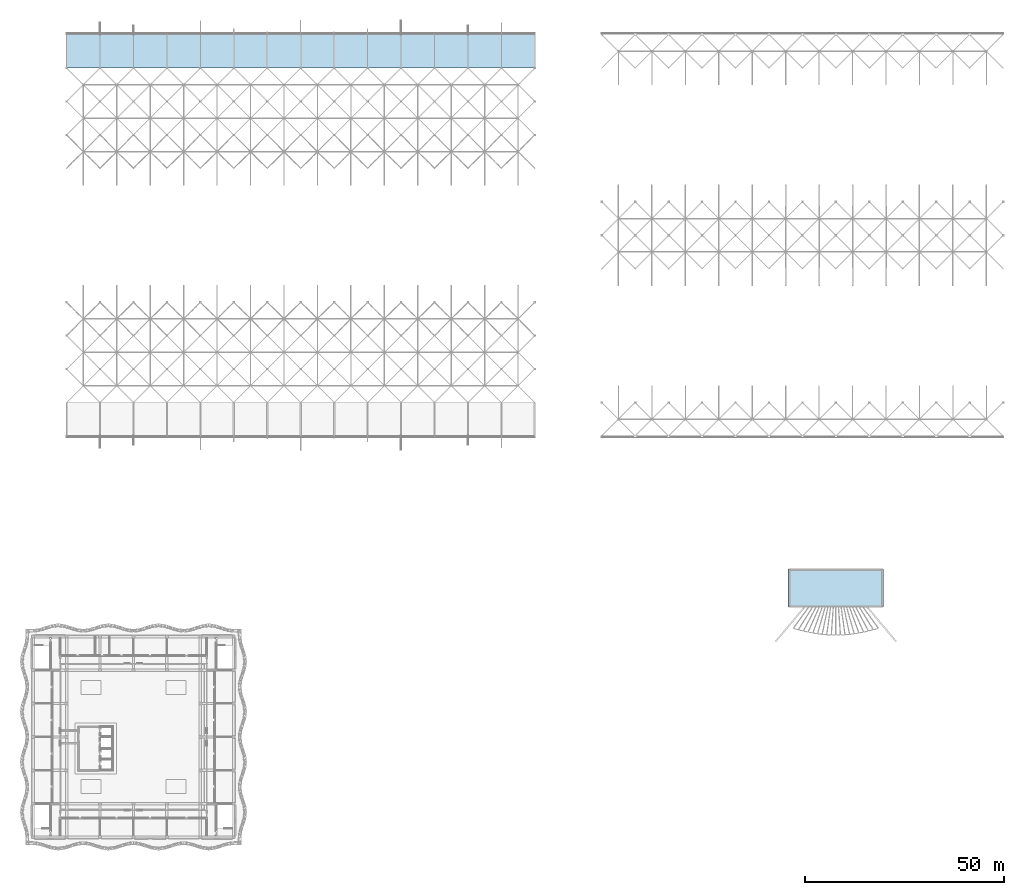
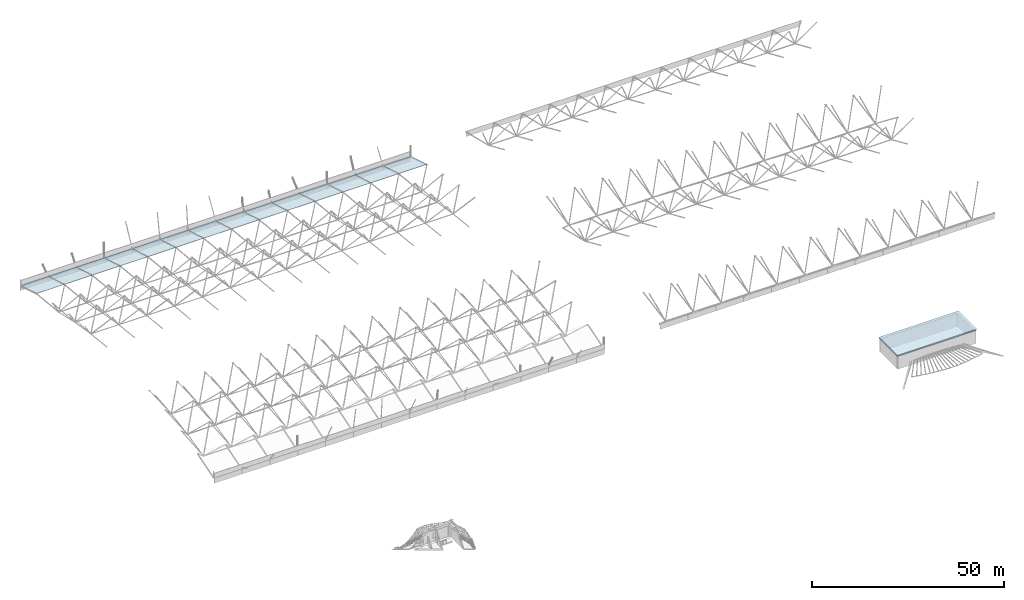
# One storey, part 35 of 85: 15 slabs.
"""IFC4 building model written with IfcOpenShell, lengths in metres."""

from ifc_helpers import new_model, si_unit, direction, frame, origin, place, context, subcontext, project, spatial, polyline, outline, extrude, material, layer, layer_set, type_object, element, save


model = new_model("IFC4")

# Units and contexts
model_context = context("Model", 3, precision=1e-05, world=origin(), true_north=direction((0.0, 1.0)))
body_context = subcontext(model_context, "Body", "Model", "MODEL_VIEW")
ifc_project = project(units=[si_unit("LENGTHUNIT", "METRE"), si_unit("AREAUNIT", "SQUARE_METRE"), si_unit("VOLUMEUNIT", "CUBIC_METRE"), si_unit("PLANEANGLEUNIT", "RADIAN"), si_unit("MASSUNIT", "GRAM", prefix="KILO")], contexts=[model_context])

# Site, building, storey
site_placement = place(None, origin())
site = spatial("IfcSite", under=ifc_project, at=site_placement, CompositionType="ELEMENT")
building_placement = place(site_placement, origin())
building = spatial("IfcBuilding", under=site, at=building_placement, Name="Rain Tree Exposition and Congress Centre", CompositionType="ELEMENT")
storey_placement = place(building_placement, frame((0.0, 0.0, 15.0)))
storey = spatial("IfcBuildingStorey", under=building, at=storey_placement, Name="L03", CompositionType="ELEMENT", Elevation=15.0)

# Slabs
ifc_material_1 = material(Name="Precast concrete C50/60", Category="concrete")
ifc_layer_1 = layer(ifc_material_1, 0.39990234375)
ifc_layer_set_1 = layer_set([ifc_layer_1], Name="Precast concrete C50/60")
slab_type_1 = type_object("IfcSlabType", Name="Stage house roof slab 400", PredefinedType="ROOF", material=ifc_layer_set_1)
slab_1_placement = place(storey_placement, frame((0.0, 0.0, 4.10009765625)))
element("IfcSlab", 1, at=slab_1_placement, inside=storey, type_object=slab_type_1, Name="Stage house roof", PredefinedType="ROOF", context=body_context, shape_type="SweptSolid", body=[
    extrude(outline(polyline([(213.60009765625, 57.81005859375), (213.60009765625, 67.39990234375), (189.60009765625, 67.39990234375), (189.60009765625, 57.81005859375), (213.60009765625, 57.81005859375)])), origin(), (0.0, 0.0, 1.0), 0.39990234375),
])
ifc_material_2 = material(Name="Insulated roof panel, S350GD+Z steel skins", Category="steel")
ifc_layer_2 = layer(ifc_material_2, 0.1201171875)
ifc_layer_set_2 = layer_set([ifc_layer_2], Name="Insulated roof panel, S350GD+Z steel skins")
slab_type_2 = type_object("IfcSlabType", Name="Vault roof panel 120", PredefinedType="ROOF", material=ifc_layer_set_2)
slab_2_placement = place(storey_placement, frame((8.39990234375, 193.199951171875, 5.61669921875), z_axis=(0.0, 0.297410612285, 0.954749667557), x_axis=(1.0, 0.0, 0.0)))
element("IfcSlab", 2, at=slab_2_placement, inside=storey, type_object=slab_type_2, Name="Vault roof panel 155", PredefinedType="ROOF", context=body_context, shape_type="SweptSolid", body=[
    extrude(outline(polyline([(0.0, 0.0), (8.400146484375, 0.0), (8.400146484375, 8.798271180201514), (0.0, 8.798271180201514), (0.0, 0.0)])), origin(), (0.0, 0.0, -1.0), 0.1201171875),
])
slab_3_placement = place(storey_placement, frame((16.800048828125, 193.199951171875, 5.61669921875), z_axis=(0.0, 0.297410612285, 0.954749667557), x_axis=(1.0, 0.0, 0.0)))
element("IfcSlab", 3, at=slab_3_placement, inside=storey, type_object=slab_type_2, Name="Vault roof panel 156", PredefinedType="ROOF", context=body_context, shape_type="SweptSolid", body=[
    extrude(outline(polyline([(0.0, 0.0), (8.39990234375, 0.0), (8.39990234375, 8.798271180201514), (0.0, 8.798271180201514), (0.0, 0.0)])), origin(), (0.0, 0.0, -1.0), 0.1201171875),
])
slab_4_placement = place(storey_placement, frame((25.199951171875, 193.199951171875, 5.61669921875), z_axis=(0.0, 0.297410612285, 0.954749667557), x_axis=(1.0, 0.0, 0.0)))
element("IfcSlab", 4, at=slab_4_placement, inside=storey, type_object=slab_type_2, Name="Vault roof panel 157", PredefinedType="ROOF", context=body_context, shape_type="SweptSolid", body=[
    extrude(outline(polyline([(0.0, 0.0), (8.400146484375, 0.0), (8.400146484375, 8.798271180201514), (0.0, 8.798271180201514), (0.0, 0.0)])), origin(), (0.0, 0.0, -1.0), 0.1201171875),
])
for number, where, z_axis, x_axis, name in (
    (5, (33.60009765625, 193.199951171875, 5.61669921875), (0.0, 0.297410612285, 0.954749667557), (1.0, 0.0, 0.0), "Vault roof panel 158"),
    (6, (42.0, 193.199951171875, 5.61669921875), (0.0, 0.297410612285, 0.954749667557), (1.0, 0.0, 0.0), "Vault roof panel 159"),
):
    element("IfcSlab", number, at=place(storey_placement, frame(where, z_axis=z_axis, x_axis=x_axis)), inside=storey, type_object=slab_type_2, Name=name, PredefinedType="ROOF", context=body_context, shape_type="SweptSolid", body=[
        extrude(outline(polyline([(0.0, 0.0), (8.39990234375, 0.0), (8.39990234375, 8.798271180201514), (0.0, 8.798271180201514), (0.0, 0.0)])), origin(), (0.0, 0.0, -1.0), 0.1201171875),
    ])
slab_5_placement = place(storey_placement, frame((50.39990234375, 193.199951171875, 5.61669921875), z_axis=(0.0, 0.297410612285, 0.954749667557), x_axis=(1.0, 0.0, 0.0)))
element("IfcSlab", 7, at=slab_5_placement, inside=storey, type_object=slab_type_2, Name="Vault roof panel 160", PredefinedType="ROOF", context=body_context, shape_type="SweptSolid", body=[
    extrude(outline(polyline([(0.0, 0.0), (8.400146484375, 0.0), (8.400146484375, 8.798271180201514), (0.0, 8.798271180201514), (0.0, 0.0)])), origin(), (0.0, 0.0, -1.0), 0.1201171875),
])
slab_6_placement = place(storey_placement, frame((58.800048828125, 193.199951171875, 5.61669921875), z_axis=(0.0, 0.297410612285, 0.954749667557), x_axis=(1.0, 0.0, 0.0)))
element("IfcSlab", 8, at=slab_6_placement, inside=storey, type_object=slab_type_2, Name="Vault roof panel 161", PredefinedType="ROOF", context=body_context, shape_type="SweptSolid", body=[
    extrude(outline(polyline([(0.0, 0.0), (8.39990234375, 0.0), (8.39990234375, 8.798271180201514), (0.0, 8.798271180201514), (0.0, 0.0)])), origin(), (0.0, 0.0, -1.0), 0.1201171875),
])
slab_7_placement = place(storey_placement, frame((67.199951171875, 193.199951171875, 5.61669921875), z_axis=(0.0, 0.297410612285, 0.954749667557), x_axis=(1.0, 0.0, 0.0)))
element("IfcSlab", 9, at=slab_7_placement, inside=storey, type_object=slab_type_2, Name="Vault roof panel 162", PredefinedType="ROOF", context=body_context, shape_type="SweptSolid", body=[
    extrude(outline(polyline([(0.0, 0.0), (8.400146484375, 0.0), (8.400146484375, 8.798271180201514), (0.0, 8.798271180201514), (0.0, 0.0)])), origin(), (0.0, 0.0, -1.0), 0.1201171875),
])
for number, where, z_axis, x_axis, name in (
    (10, (75.60009765625, 193.199951171875, 5.61669921875), (0.0, 0.297410612285, 0.954749667557), (1.0, 0.0, 0.0), "Vault roof panel 163"),
    (11, (84.0, 193.199951171875, 5.61669921875), (0.0, 0.297410612285, 0.954749667557), (1.0, 0.0, 0.0), "Vault roof panel 164"),
):
    element("IfcSlab", number, at=place(storey_placement, frame(where, z_axis=z_axis, x_axis=x_axis)), inside=storey, type_object=slab_type_2, Name=name, PredefinedType="ROOF", context=body_context, shape_type="SweptSolid", body=[
        extrude(outline(polyline([(0.0, 0.0), (8.39990234375, 0.0), (8.39990234375, 8.798271180201514), (0.0, 8.798271180201514), (0.0, 0.0)])), origin(), (0.0, 0.0, -1.0), 0.1201171875),
    ])
slab_8_placement = place(storey_placement, frame((92.39990234375, 193.199951171875, 5.61669921875), z_axis=(0.0, 0.297410612285, 0.954749667557), x_axis=(1.0, 0.0, 0.0)))
element("IfcSlab", 12, at=slab_8_placement, inside=storey, type_object=slab_type_2, Name="Vault roof panel 165", PredefinedType="ROOF", context=body_context, shape_type="SweptSolid", body=[
    extrude(outline(polyline([(0.0, 0.0), (8.400146484375, 0.0), (8.400146484375, 8.798271180201514), (0.0, 8.798271180201514), (0.0, 0.0)])), origin(), (0.0, 0.0, -1.0), 0.1201171875),
])
slab_9_placement = place(storey_placement, frame((100.800048828125, 193.199951171875, 5.61669921875), z_axis=(0.0, 0.297410612285, 0.954749667557), x_axis=(1.0, 0.0, 0.0)))
element("IfcSlab", 13, at=slab_9_placement, inside=storey, type_object=slab_type_2, Name="Vault roof panel 166", PredefinedType="ROOF", context=body_context, shape_type="SweptSolid", body=[
    extrude(outline(polyline([(0.0, 0.0), (8.39990234375, 0.0), (8.39990234375, 8.798271180201514), (0.0, 8.798271180201514), (0.0, 0.0)])), origin(), (0.0, 0.0, -1.0), 0.1201171875),
])
slab_10_placement = place(storey_placement, frame((109.199951171875, 193.199951171875, 5.61669921875), z_axis=(0.0, 0.297410612285, 0.954749667557), x_axis=(1.0, 0.0, 0.0)))
element("IfcSlab", 14, at=slab_10_placement, inside=storey, type_object=slab_type_2, Name="Vault roof panel 167", PredefinedType="ROOF", context=body_context, shape_type="SweptSolid", body=[
    extrude(outline(polyline([(0.0, 0.0), (8.400146484375, 0.0), (8.400146484375, 8.798271180201514), (0.0, 8.798271180201514), (0.0, 0.0)])), origin(), (0.0, 0.0, -1.0), 0.1201171875),
])
slab_11_placement = place(storey_placement, frame((117.60009765625, 193.199951171875, 5.61669921875), z_axis=(0.0, 0.297410612285, 0.954749667557), x_axis=(1.0, 0.0, 0.0)))
element("IfcSlab", 15, at=slab_11_placement, inside=storey, type_object=slab_type_2, Name="Vault roof panel 168", PredefinedType="ROOF", context=body_context, shape_type="SweptSolid", body=[
    extrude(outline(polyline([(0.0, 0.0), (8.39990234375, 0.0), (8.39990234375, 8.798271180201514), (0.0, 8.798271180201514), (0.0, 0.0)])), origin(), (0.0, 0.0, -1.0), 0.1201171875),
])

save(model, "model.ifc")
